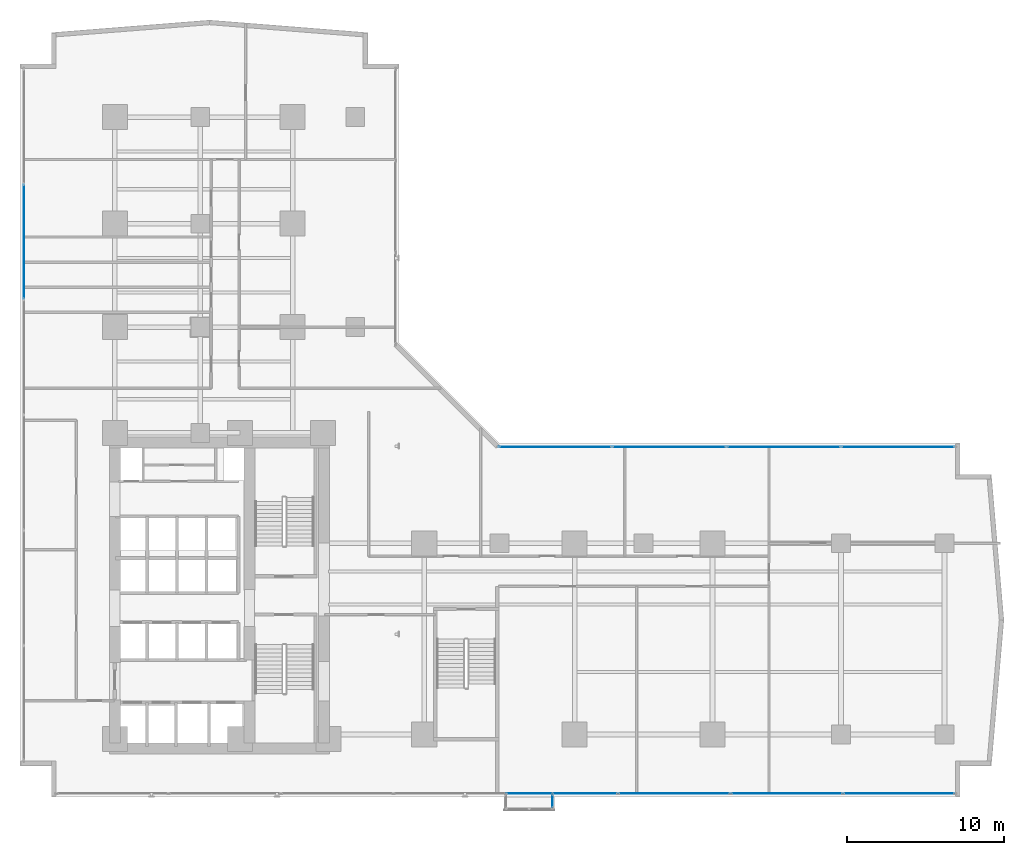
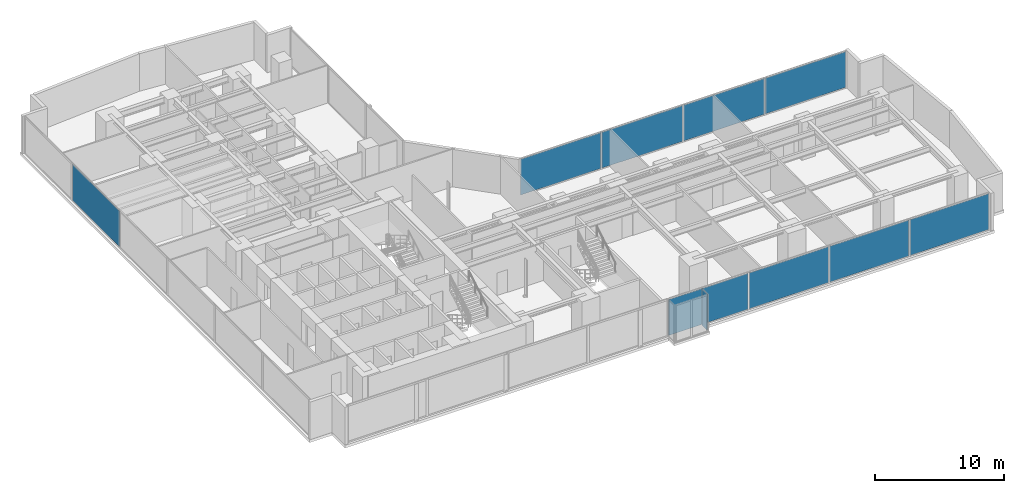
# One storey, part 22 of 30: 10 plates, 4 elements without a shape of their own.
"""IFC4 building model written with IfcOpenShell, lengths in metres."""

from ifc_helpers import new_model, si_unit, direction, frame, origin, origin_with_axes, origin_2d, place, context, subcontext, project, spatial, rectangle, extrude, source, transform, mapped, material, layer, layer_set, type_object, element, aggregate, save


model = new_model("IFC4")

# Units and contexts
model_context = context("Model", 3, precision=1e-05, world=origin(), true_north=direction((0.0, 1.0)))
body_context = subcontext(model_context, "Body", "Model", "MODEL_VIEW")
ifc_project = project(units=[si_unit("LENGTHUNIT", "METRE"), si_unit("AREAUNIT", "SQUARE_METRE"), si_unit("VOLUMEUNIT", "CUBIC_METRE"), si_unit("PLANEANGLEUNIT", "RADIAN"), si_unit("MASSUNIT", "GRAM", prefix="KILO")], contexts=[model_context])

# Site, building, storey
site_placement = place(None, origin())
site = spatial("IfcSite", under=ifc_project, at=site_placement, CompositionType="ELEMENT")
building_placement = place(site_placement, origin())
building = spatial("IfcBuilding", under=site, at=building_placement, Name="Kolvaren Waterfront Exchange", CompositionType="ELEMENT")
storey_placement = place(building_placement, frame((0.0, 0.0, 52.39990234375)))
storey = spatial("IfcBuildingStorey", under=building, at=storey_placement, Name="L13", CompositionType="ELEMENT", Elevation=52.39990234375)

# Curtain wall, plates
ifc_material_1 = material(Name="Anodised bronze aluminium 6063-T6", Category="aluminium")
ifc_layer_1 = layer(ifc_material_1, 0.219970703125, Name="Anodised bronze aluminium 6063-T6")
ifc_layer_set_1 = layer_set([ifc_layer_1], Name="Anodised bronze aluminium 6063-T6")
curtain_wall_type_1 = type_object("IfcCurtainWallType", Name="ARC-CW-SYS1", PredefinedType="USERDEFINED", material=ifc_layer_set_1)
curtain_wall_1_placement = place(storey_placement, origin())
curtain_wall_1 = element("IfcCurtainWall", 1, at=curtain_wall_1_placement, inside=storey, type_object=curtain_wall_type_1, Name="L13 stick curtain wall CW1 (CW-L13-S)", ObjectType="STICK CURTAIN WALL", PredefinedType="USERDEFINED")
ifc_material_2 = material(Name="Bronze solar control vision glass", Category="aluminium")
ifc_layer_2 = layer(ifc_material_2, 0.028076171875, Name="Bronze solar control vision glass")
ifc_layer_set_2 = layer_set([ifc_layer_2], Name="Bronze solar control vision glass")
plate_type_1 = type_object("IfcPlateType", Name="ARC-CWP-28", PredefinedType="CURTAIN_PANEL", material=ifc_layer_set_2)
shared_shape_1 = source(origin_with_axes(), body_context, "Body", "SweptSolid", [
    extrude(rectangle(XDim=7.054931640625, YDim=0.028076171875, at=origin_2d()), origin(), (0.0, 0.0, 1.0), 3.389892578125),
])
plate_1_placement = place(storey_placement, frame((57.492431640625, 1.43994140625, 0.0751953125), z_axis=(0.0, 0.0, 1.0), x_axis=(1.0, 0.0, 0.0)))
plate_1 = element("IfcPlate", 2, at=plate_1_placement, type_object=plate_type_1, Name="CW1 panel 8.1", PredefinedType="CURTAIN_PANEL", context=body_context, shape_type="MappedRepresentation", body=[
    mapped(shared_shape_1, transform((0.0, 0.0, 0.0), x_axis=(1.0, 0.0, 0.0), y_axis=(0.0, 1.0, 0.0), z_axis=(0.0, 0.0, 1.0), scale=1.0)),
])
shared_shape_2 = source(origin_with_axes(), body_context, "Body", "SweptSolid", [
    extrude(rectangle(XDim=7.094970703125, YDim=0.028076171875, at=origin_2d()), origin(), (0.0, 0.0, 1.0), 3.389892578125),
])
plate_2_placement = place(storey_placement, frame((35.987548828125, 1.43994140625, 0.0751953125), z_axis=(0.0, 0.0, 1.0), x_axis=(1.0, 0.0, 0.0)))
plate_2 = element("IfcPlate", 3, at=plate_2_placement, type_object=plate_type_1, Name="CW1 panel 5.1", PredefinedType="CURTAIN_PANEL", context=body_context, shape_type="MappedRepresentation", body=[
    mapped(shared_shape_2, transform((0.0, 0.0, 0.0), x_axis=(1.0, 0.0, 0.0), y_axis=(0.0, 1.0, 0.0), z_axis=(0.0, 0.0, 1.0), scale=1.0)),
])
plate_3_placement = place(storey_placement, frame((43.16259765625, 1.43994140625, 0.0751953125), z_axis=(0.0, 0.0, 1.0), x_axis=(1.0, 0.0, 0.0)))
plate_3 = element("IfcPlate", 4, at=plate_3_placement, type_object=plate_type_1, Name="CW1 panel 6.1", PredefinedType="CURTAIN_PANEL", context=body_context, shape_type="MappedRepresentation", body=[
    mapped(shared_shape_2, transform((0.0, 0.0, 0.0), x_axis=(1.0, 0.0, 0.0), y_axis=(0.0, 1.0, 0.0), z_axis=(0.0, 0.0, 1.0), scale=1.0)),
])
plate_4_placement = place(storey_placement, frame((50.33740234375, 1.43994140625, 0.0751953125), z_axis=(0.0, 0.0, 1.0), x_axis=(1.0, 0.0, 0.0)))
plate_4 = element("IfcPlate", 5, at=plate_4_placement, type_object=plate_type_1, Name="CW1 panel 7.1", PredefinedType="CURTAIN_PANEL", context=body_context, shape_type="MappedRepresentation", body=[
    mapped(shared_shape_2, transform((0.0, 0.0, 0.0), x_axis=(1.0, 0.0, 0.0), y_axis=(0.0, 1.0, 0.0), z_axis=(0.0, 0.0, 1.0), scale=1.0)),
])
aggregate(curtain_wall_1, [plate_2, plate_3, plate_4, plate_1])

# Curtain wall, plate
ifc_material_3 = material(Name="Anodised aluminium 6063-T6", Category="aluminium")
ifc_layer_3 = layer(ifc_material_3, 0.219970703125, Name="Anodised aluminium 6063-T6")
ifc_layer_set_3 = layer_set([ifc_layer_3], Name="Anodised aluminium 6063-T6")
curtain_wall_type_2 = type_object("IfcCurtainWallType", Name="ARC-CW-SYS2", PredefinedType="USERDEFINED", material=ifc_layer_set_3)
curtain_wall_2_placement = place(storey_placement, origin())
curtain_wall_2 = element("IfcCurtainWall", 6, at=curtain_wall_2_placement, inside=storey, type_object=curtain_wall_type_2, Name="L13 stick curtain wall CW2 (CW-L13-W)", ObjectType="STICK CURTAIN WALL", PredefinedType="USERDEFINED")
ifc_material_4 = material(Name="Acoustic laminated vision glass", Category="glass")
ifc_layer_4 = layer(ifc_material_4, 0.031982421875, Name="Acoustic laminated vision glass")
ifc_layer_set_4 = layer_set([ifc_layer_4], Name="Acoustic laminated vision glass")
plate_type_2 = type_object("IfcPlateType", Name="ARC-CWP-32", PredefinedType="CURTAIN_PANEL", material=ifc_layer_set_4)
shared_shape_3 = source(origin_with_axes(), body_context, "Body", "SweptSolid", [
    extrude(rectangle(XDim=7.28662109375, YDim=0.031982421875, at=origin_2d()), origin(), (0.0, 0.0, 1.0), 3.389892578125),
])
plate_5_placement = place(storey_placement, frame((1.639892578125, 36.64990234375, 0.0751953125), z_axis=(0.0, 0.0, 1.0), x_axis=(0.0, 1.0, 0.0)))
plate_5 = element("IfcPlate", 7, at=plate_5_placement, type_object=plate_type_2, Name="CW2 panel 5.1", PredefinedType="CURTAIN_PANEL", context=body_context, shape_type="MappedRepresentation", body=[
    mapped(shared_shape_3, transform((0.0, 0.0, 0.0), x_axis=(1.0, 0.0, 0.0), y_axis=(0.0, 1.0, 0.0), z_axis=(0.0, 0.0, 1.0), scale=1.0)),
])
aggregate(curtain_wall_2, [plate_5])

# Curtain wall, plates
curtain_wall_3_placement = place(storey_placement, origin())
curtain_wall_3 = element("IfcCurtainWall", 8, at=curtain_wall_3_placement, inside=storey, type_object=curtain_wall_type_1, Name="L13 stick curtain wall CW1 (CW-L13-EN)", ObjectType="STICK CURTAIN WALL", PredefinedType="USERDEFINED")
shared_shape_4 = source(origin_with_axes(), body_context, "Body", "SweptSolid", [
    extrude(rectangle(XDim=7.1826171875, YDim=0.028076171875, at=origin_2d()), origin(), (0.0, 0.0, 1.0), 3.389892578125),
])
plate_6_placement = place(storey_placement, frame((35.561279296875, 23.56005859375, 0.0751953125), z_axis=(0.0, 0.0, 1.0), x_axis=(1.0, 0.0, 0.0)))
plate_6 = element("IfcPlate", 9, at=plate_6_placement, type_object=plate_type_1, Name="CW1 panel 1.1", PredefinedType="CURTAIN_PANEL", context=body_context, shape_type="MappedRepresentation", body=[
    mapped(shared_shape_4, transform((0.0, 0.0, 0.0), x_axis=(1.0, 0.0, 0.0), y_axis=(0.0, 1.0, 0.0), z_axis=(0.0, 0.0, 1.0), scale=1.0)),
])
plate_7_placement = place(storey_placement, frame((57.4287109375, 23.56005859375, 0.0751953125), z_axis=(0.0, 0.0, 1.0), x_axis=(1.0, 0.0, 0.0)))
plate_7 = element("IfcPlate", 10, at=plate_7_placement, type_object=plate_type_1, Name="CW1 panel 4.1", PredefinedType="CURTAIN_PANEL", context=body_context, shape_type="MappedRepresentation", body=[
    mapped(shared_shape_4, transform((0.0, 0.0, 0.0), x_axis=(1.0, 0.0, 0.0), y_axis=(0.0, 1.0, 0.0), z_axis=(0.0, 0.0, 1.0), scale=1.0)),
])
shared_shape_5 = source(origin_with_axes(), body_context, "Body", "SweptSolid", [
    extrude(rectangle(XDim=7.222412109375, YDim=0.028076171875, at=origin_2d()), origin(), (0.0, 0.0, 1.0), 3.389892578125),
])
plate_8_placement = place(storey_placement, frame((42.84375, 23.56005859375, 0.0751953125), z_axis=(0.0, 0.0, 1.0), x_axis=(1.0, 0.0, 0.0)))
plate_8 = element("IfcPlate", 11, at=plate_8_placement, type_object=plate_type_1, Name="CW1 panel 2.1", PredefinedType="CURTAIN_PANEL", context=body_context, shape_type="MappedRepresentation", body=[
    mapped(shared_shape_5, transform((0.0, 0.0, 0.0), x_axis=(1.0, 0.0, 0.0), y_axis=(0.0, 1.0, 0.0), z_axis=(0.0, 0.0, 1.0), scale=1.0)),
])
plate_9_placement = place(storey_placement, frame((50.146240234375, 23.56005859375, 0.0751953125), z_axis=(0.0, 0.0, 1.0), x_axis=(1.0, 0.0, 0.0)))
plate_9 = element("IfcPlate", 12, at=plate_9_placement, type_object=plate_type_1, Name="CW1 panel 3.1", PredefinedType="CURTAIN_PANEL", context=body_context, shape_type="MappedRepresentation", body=[
    mapped(shared_shape_5, transform((0.0, 0.0, 0.0), x_axis=(1.0, 0.0, 0.0), y_axis=(0.0, 1.0, 0.0), z_axis=(0.0, 0.0, 1.0), scale=1.0)),
])
aggregate(curtain_wall_3, [plate_6, plate_8, plate_9, plate_7])

# Curtain wall, plate
ifc_layer_5 = layer(ifc_material_1, 0.219970703125, Name="Anodised bronze aluminium 6063-T6")
ifc_layer_set_5 = layer_set([ifc_layer_5], Name="Anodised bronze aluminium 6063-T6")
curtain_wall_type_3 = type_object("IfcCurtainWallType", Name="ARC-CW-SYS3", PredefinedType="USERDEFINED", material=ifc_layer_set_5)
curtain_wall_4_placement = place(storey_placement, origin())
curtain_wall_4 = element("IfcCurtainWall", 13, at=curtain_wall_4_placement, inside=storey, type_object=curtain_wall_type_3, Name="L13 stick curtain wall CW3 (CW-L13-BOX-E)", ObjectType="STICK CURTAIN WALL", PredefinedType="USERDEFINED")
ifc_material_5 = material(Name="Bronze tinted bay-box vision glass", Category="aluminium")
ifc_layer_6 = layer(ifc_material_5, 0.02392578125, Name="Bronze tinted bay-box vision glass")
ifc_layer_set_6 = layer_set([ifc_layer_6], Name="Bronze tinted bay-box vision glass")
plate_type_3 = type_object("IfcPlateType", Name="ARC-CWP-24", PredefinedType="CURTAIN_PANEL", material=ifc_layer_set_6)
shared_shape_6 = source(origin_with_axes(), body_context, "Body", "SweptSolid", [
    extrude(rectangle(XDim=0.830078125, YDim=0.02392578125, at=origin_2d()), origin(), (0.0, 0.0, 1.0), 3.409912109375),
])
plate_10_placement = place(storey_placement, frame((35.389892578125, 0.949951171875, 0.06494140625), z_axis=(0.0, 0.0, 1.0), x_axis=(0.0, 1.0, 0.0)))
plate_10 = element("IfcPlate", 14, at=plate_10_placement, type_object=plate_type_3, Name="CW3 panel 1.1", PredefinedType="CURTAIN_PANEL", context=body_context, shape_type="MappedRepresentation", body=[
    mapped(shared_shape_6, transform((0.0, 0.0, 0.0), x_axis=(1.0, 0.0, 0.0), y_axis=(0.0, 1.0, 0.0), z_axis=(0.0, 0.0, 1.0), scale=1.0)),
])
aggregate(curtain_wall_4, [plate_10])

save(model, "model.ifc")
